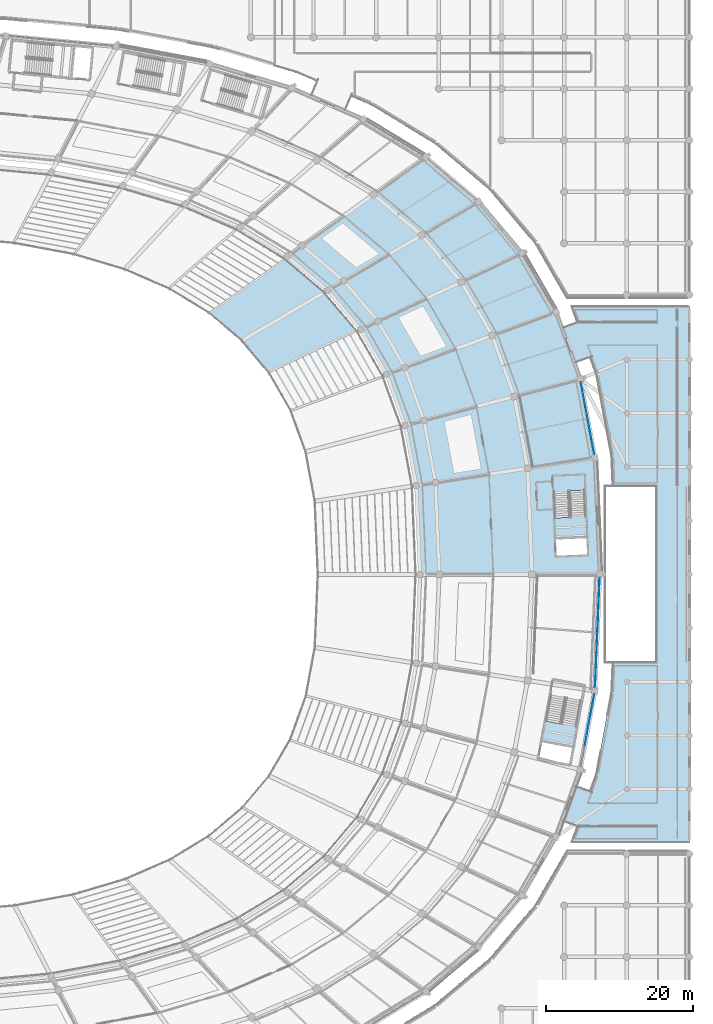
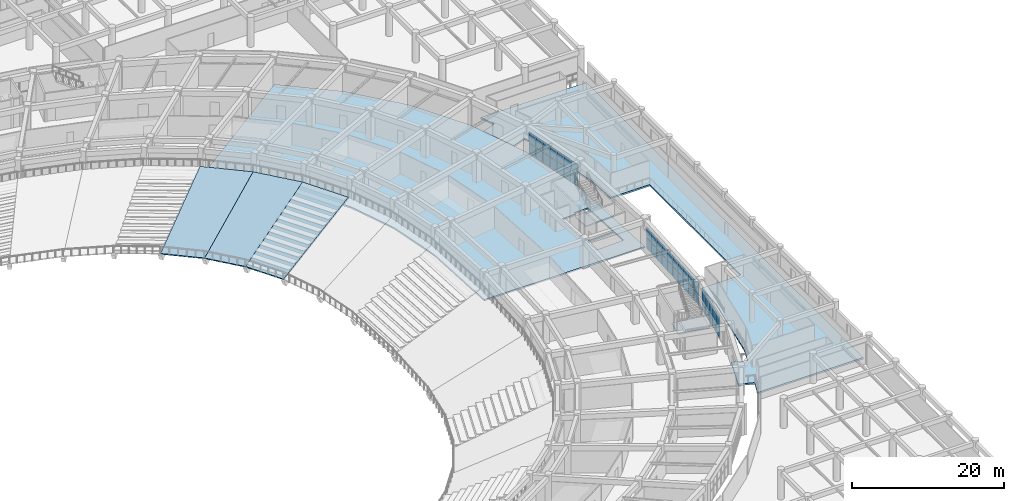
# One storey, part 86 of 152: 44 plates, 7 slabs, 5 elements without a shape of their own.
"""IFC4 building model written with IfcOpenShell, lengths in metres."""

from ifc_helpers import new_model, si_unit, direction, frame, origin, origin_2d, place, context, subcontext, project, spatial, polyline, rectangle, outline, extrude, material, layer, layer_set, type_object, element, aggregate, save


model = new_model("IFC4")

# Units and contexts
model_context = context("Model", 3, precision=1e-05, world=origin(), true_north=direction((0.0, 1.0)))
body_context = subcontext(model_context, "Body", "Model", "MODEL_VIEW")
ifc_project = project(units=[si_unit("LENGTHUNIT", "METRE"), si_unit("AREAUNIT", "SQUARE_METRE"), si_unit("VOLUMEUNIT", "CUBIC_METRE"), si_unit("PLANEANGLEUNIT", "RADIAN"), si_unit("MASSUNIT", "GRAM", prefix="KILO")], contexts=[model_context])

# Site, building, storey
site_placement = place(None, origin())
site = spatial("IfcSite", under=ifc_project, at=site_placement, CompositionType="ELEMENT")
building_placement = place(site_placement, origin())
building = spatial("IfcBuilding", under=site, at=building_placement, Name="Mphavela Belvedere Stadium", CompositionType="ELEMENT")
storey_placement = place(building_placement, frame((0.0, 0.0, 5.39990234375)))
storey = spatial("IfcBuildingStorey", under=building, at=storey_placement, Name="L01", CompositionType="ELEMENT", Elevation=5.39990234375)

# Curtain wall, plates
ifc_material_1 = material(Name="Anodised bronze unitised curtain wall framing")
ifc_layer_1 = layer(ifc_material_1, 0.179931640625)
ifc_layer_set_1 = layer_set([ifc_layer_1], Name="Anodised bronze unitised curtain wall framing")
curtain_wall_type_1 = type_object("IfcCurtainWallType", Name="CW-UNIT-01", PredefinedType="USERDEFINED", material=ifc_layer_set_1)
curtain_wall_1_placement = place(storey_placement, origin())
curtain_wall_1 = element("IfcCurtainWall", 1, at=curtain_wall_1_placement, inside=storey, type_object=curtain_wall_type_1, Name="Belvedere colonnade curtain wall L01-02", ObjectType="UNITISED CURTAIN WALL", PredefinedType="USERDEFINED")
ifc_material_2 = material(Name="Solar-control double glazing", Category="glass")
ifc_layer_2 = layer(ifc_material_2, 0.031982421875)
ifc_layer_set_2 = layer_set([ifc_layer_2], Name="Solar-control double glazing")
plate_type = type_object("IfcPlateType", Name="CWP-SOLAR-GLASS", PredefinedType="CURTAIN_PANEL", material=ifc_layer_set_2)
plate_1_placement = place(storey_placement, frame((216.944091796875, 103.98291015625, 0.06005859375), z_axis=(0.0, 0.0, 1.0), x_axis=(-0.182619524814, 0.983183659932, 0.0)))
plate_1 = element("IfcPlate", 2, at=plate_1_placement, type_object=plate_type, Name="CW-01 panel 1.1", PredefinedType="CURTAIN_PANEL", context=body_context, shape_type="SweptSolid", body=[
    extrude(rectangle(XDim=1.3388671875, YDim=0.031982421875, at=origin_2d()), origin(), (0.0, 0.0, 1.0), 1.695068359375),
])
plate_2_placement = place(storey_placement, frame((216.944091796875, 103.98291015625, 1.81494140625), z_axis=(0.0, 0.0, 1.0), x_axis=(-0.182619524814, 0.983183659932, 0.0)))
plate_2 = element("IfcPlate", 3, at=plate_2_placement, type_object=plate_type, Name="CW-01 panel 1.2", PredefinedType="CURTAIN_PANEL", context=body_context, shape_type="SweptSolid", body=[
    extrude(rectangle(XDim=1.3388671875, YDim=0.031982421875, at=origin_2d()), origin(), (0.0, 0.0, 1.0), 1.695068359375),
])
plate_3_placement = place(storey_placement, frame((216.6845703125, 105.379150390625, 0.06005859375), z_axis=(0.0, 0.0, 1.0), x_axis=(-0.182619524814, 0.983183659932, 0.0)))
plate_3 = element("IfcPlate", 4, at=plate_3_placement, type_object=plate_type, Name="CW-01 panel 2.1", PredefinedType="CURTAIN_PANEL", context=body_context, shape_type="SweptSolid", body=[
    extrude(rectangle(XDim=1.371337890625, YDim=0.031982421875, at=origin_2d()), origin(), (0.0, 0.0, 1.0), 1.695068359375),
])
plate_4_placement = place(storey_placement, frame((216.6845703125, 105.379150390625, 1.81494140625), z_axis=(0.0, 0.0, 1.0), x_axis=(-0.182619524814, 0.983183659932, 0.0)))
plate_4 = element("IfcPlate", 5, at=plate_4_placement, type_object=plate_type, Name="CW-01 panel 2.2", PredefinedType="CURTAIN_PANEL", context=body_context, shape_type="SweptSolid", body=[
    extrude(rectangle(XDim=1.371337890625, YDim=0.031982421875, at=origin_2d()), origin(), (0.0, 0.0, 1.0), 1.695068359375),
])
plate_5_placement = place(storey_placement, frame((216.42236328125, 106.79150390625, 0.06005859375), z_axis=(0.0, 0.0, 1.0), x_axis=(-0.182619524814, 0.983183659932, 0.0)))
plate_5 = element("IfcPlate", 6, at=plate_5_placement, type_object=plate_type, Name="CW-01 panel 3.1", PredefinedType="CURTAIN_PANEL", context=body_context, shape_type="SweptSolid", body=[
    extrude(rectangle(XDim=1.371337890625, YDim=0.031982421875, at=origin_2d()), origin(), (0.0, 0.0, 1.0), 1.695068359375),
])
plate_6_placement = place(storey_placement, frame((216.42236328125, 106.79150390625, 1.81494140625), z_axis=(0.0, 0.0, 1.0), x_axis=(-0.182619524814, 0.983183659932, 0.0)))
plate_6 = element("IfcPlate", 7, at=plate_6_placement, type_object=plate_type, Name="CW-01 panel 3.2", PredefinedType="CURTAIN_PANEL", context=body_context, shape_type="SweptSolid", body=[
    extrude(rectangle(XDim=1.371337890625, YDim=0.031982421875, at=origin_2d()), origin(), (0.0, 0.0, 1.0), 1.695068359375),
])
plate_7_placement = place(storey_placement, frame((216.159912109375, 108.203857421875, 0.06005859375), z_axis=(0.0, 0.0, 1.0), x_axis=(-0.182619524814, 0.983183659932, 0.0)))
plate_7 = element("IfcPlate", 8, at=plate_7_placement, type_object=plate_type, Name="CW-01 panel 4.1", PredefinedType="CURTAIN_PANEL", context=body_context, shape_type="SweptSolid", body=[
    extrude(rectangle(XDim=1.371337890625, YDim=0.031982421875, at=origin_2d()), origin(), (0.0, 0.0, 1.0), 1.695068359375),
])
plate_8_placement = place(storey_placement, frame((216.159912109375, 108.203857421875, 1.81494140625), z_axis=(0.0, 0.0, 1.0), x_axis=(-0.182619524814, 0.983183659932, 0.0)))
plate_8 = element("IfcPlate", 9, at=plate_8_placement, type_object=plate_type, Name="CW-01 panel 4.2", PredefinedType="CURTAIN_PANEL", context=body_context, shape_type="SweptSolid", body=[
    extrude(rectangle(XDim=1.371337890625, YDim=0.031982421875, at=origin_2d()), origin(), (0.0, 0.0, 1.0), 1.695068359375),
])
plate_9_placement = place(storey_placement, frame((215.897705078125, 109.615966796875, 0.06005859375), z_axis=(0.0, 0.0, 1.0), x_axis=(-0.182619524814, 0.983183659932, 0.0)))
plate_9 = element("IfcPlate", 10, at=plate_9_placement, type_object=plate_type, Name="CW-01 panel 5.1", PredefinedType="CURTAIN_PANEL", context=body_context, shape_type="SweptSolid", body=[
    extrude(rectangle(XDim=1.371337890625, YDim=0.031982421875, at=origin_2d()), origin(), (0.0, 0.0, 1.0), 1.695068359375),
])
plate_10_placement = place(storey_placement, frame((215.897705078125, 109.615966796875, 1.81494140625), z_axis=(0.0, 0.0, 1.0), x_axis=(-0.182619524814, 0.983183659932, 0.0)))
plate_10 = element("IfcPlate", 11, at=plate_10_placement, type_object=plate_type, Name="CW-01 panel 5.2", PredefinedType="CURTAIN_PANEL", context=body_context, shape_type="SweptSolid", body=[
    extrude(rectangle(XDim=1.371337890625, YDim=0.031982421875, at=origin_2d()), origin(), (0.0, 0.0, 1.0), 1.695068359375),
])
plate_11_placement = place(storey_placement, frame((215.63525390625, 111.0283203125, 0.06005859375), z_axis=(0.0, 0.0, 1.0), x_axis=(-0.182619524814, 0.983183659932, 0.0)))
plate_11 = element("IfcPlate", 12, at=plate_11_placement, type_object=plate_type, Name="CW-01 panel 6.1", PredefinedType="CURTAIN_PANEL", context=body_context, shape_type="SweptSolid", body=[
    extrude(rectangle(XDim=1.371337890625, YDim=0.031982421875, at=origin_2d()), origin(), (0.0, 0.0, 1.0), 1.695068359375),
])
plate_12_placement = place(storey_placement, frame((215.63525390625, 111.0283203125, 1.81494140625), z_axis=(0.0, 0.0, 1.0), x_axis=(-0.182619524814, 0.983183659932, 0.0)))
plate_12 = element("IfcPlate", 13, at=plate_12_placement, type_object=plate_type, Name="CW-01 panel 6.2", PredefinedType="CURTAIN_PANEL", context=body_context, shape_type="SweptSolid", body=[
    extrude(rectangle(XDim=1.371337890625, YDim=0.031982421875, at=origin_2d()), origin(), (0.0, 0.0, 1.0), 1.695068359375),
])
plate_13_placement = place(storey_placement, frame((215.3759765625, 112.424560546875, 0.06005859375), z_axis=(0.0, 0.0, 1.0), x_axis=(-0.182619524814, 0.983183659932, 0.0)))
plate_13 = element("IfcPlate", 14, at=plate_13_placement, type_object=plate_type, Name="CW-01 panel 7.1", PredefinedType="CURTAIN_PANEL", context=body_context, shape_type="SweptSolid", body=[
    extrude(rectangle(XDim=1.3388671875, YDim=0.031982421875, at=origin_2d()), origin(), (0.0, 0.0, 1.0), 1.695068359375),
])
plate_14_placement = place(storey_placement, frame((215.3759765625, 112.424560546875, 1.81494140625), z_axis=(0.0, 0.0, 1.0), x_axis=(-0.182619524814, 0.983183659932, 0.0)))
plate_14 = element("IfcPlate", 15, at=plate_14_placement, type_object=plate_type, Name="CW-01 panel 7.2", PredefinedType="CURTAIN_PANEL", context=body_context, shape_type="SweptSolid", body=[
    extrude(rectangle(XDim=1.3388671875, YDim=0.031982421875, at=origin_2d()), origin(), (0.0, 0.0, 1.0), 1.695068359375),
])
aggregate(curtain_wall_1, [plate_1, plate_2, plate_3, plate_4, plate_5, plate_6, plate_7, plate_8, plate_9, plate_10, plate_11, plate_12, plate_13, plate_14])

ifc_material_3 = material(Name="Anodised bronze unitised curtain wall framing")
ifc_layer_3 = layer(ifc_material_3, 0.199951171875)
ifc_layer_set_3 = layer_set([ifc_layer_3], Name="Anodised bronze unitised curtain wall framing")
curtain_wall_type_2 = type_object("IfcCurtainWallType", Name="CW-UNIT-05", PredefinedType="USERDEFINED", material=ifc_layer_set_3)
curtain_wall_2_placement = place(storey_placement, origin())
curtain_wall_2 = element("IfcCurtainWall", 16, at=curtain_wall_2_placement, inside=storey, type_object=curtain_wall_type_2, Name="Belvedere colonnade curtain wall L01-47", ObjectType="UNITISED CURTAIN WALL", PredefinedType="USERDEFINED")
plate_15_placement = place(storey_placement, frame((215.897705078125, 64.384033203125, 0.06005859375), z_axis=(0.0, 0.0, 1.0), x_axis=(0.182619524814, 0.983183659932, 0.0)))
plate_15 = element("IfcPlate", 17, at=plate_15_placement, type_object=plate_type, Name="CW-05 panel 3.1", PredefinedType="CURTAIN_PANEL", context=body_context, shape_type="SweptSolid", body=[
    extrude(rectangle(XDim=1.371337890625, YDim=0.031982421875, at=origin_2d()), origin(), (0.0, 0.0, 1.0), 1.695068359375),
])
plate_16_placement = place(storey_placement, frame((215.897705078125, 64.384033203125, 1.81494140625), z_axis=(0.0, 0.0, 1.0), x_axis=(0.182619524814, 0.983183659932, 0.0)))
plate_16 = element("IfcPlate", 18, at=plate_16_placement, type_object=plate_type, Name="CW-05 panel 3.2", PredefinedType="CURTAIN_PANEL", context=body_context, shape_type="SweptSolid", body=[
    extrude(rectangle(XDim=1.371337890625, YDim=0.031982421875, at=origin_2d()), origin(), (0.0, 0.0, 1.0), 1.695068359375),
])
plate_17_placement = place(storey_placement, frame((216.159912109375, 65.796142578125, 0.06005859375), z_axis=(0.0, 0.0, 1.0), x_axis=(0.182619524814, 0.983183659932, 0.0)))
plate_17 = element("IfcPlate", 19, at=plate_17_placement, type_object=plate_type, Name="CW-05 panel 4.1", PredefinedType="CURTAIN_PANEL", context=body_context, shape_type="SweptSolid", body=[
    extrude(rectangle(XDim=1.371337890625, YDim=0.031982421875, at=origin_2d()), origin(), (0.0, 0.0, 1.0), 1.695068359375),
])
plate_18_placement = place(storey_placement, frame((216.159912109375, 65.796142578125, 1.81494140625), z_axis=(0.0, 0.0, 1.0), x_axis=(0.182619524814, 0.983183659932, 0.0)))
plate_18 = element("IfcPlate", 20, at=plate_18_placement, type_object=plate_type, Name="CW-05 panel 4.2", PredefinedType="CURTAIN_PANEL", context=body_context, shape_type="SweptSolid", body=[
    extrude(rectangle(XDim=1.371337890625, YDim=0.031982421875, at=origin_2d()), origin(), (0.0, 0.0, 1.0), 1.695068359375),
])
plate_19_placement = place(storey_placement, frame((216.42236328125, 67.20849609375, 0.06005859375), z_axis=(0.0, 0.0, 1.0), x_axis=(0.182619524814, 0.983183659932, 0.0)))
plate_19 = element("IfcPlate", 21, at=plate_19_placement, type_object=plate_type, Name="CW-05 panel 5.1", PredefinedType="CURTAIN_PANEL", context=body_context, shape_type="SweptSolid", body=[
    extrude(rectangle(XDim=1.371337890625, YDim=0.031982421875, at=origin_2d()), origin(), (0.0, 0.0, 1.0), 1.695068359375),
])
plate_20_placement = place(storey_placement, frame((216.42236328125, 67.20849609375, 1.81494140625), z_axis=(0.0, 0.0, 1.0), x_axis=(0.182619524814, 0.983183659932, 0.0)))
plate_20 = element("IfcPlate", 22, at=plate_20_placement, type_object=plate_type, Name="CW-05 panel 5.2", PredefinedType="CURTAIN_PANEL", context=body_context, shape_type="SweptSolid", body=[
    extrude(rectangle(XDim=1.371337890625, YDim=0.031982421875, at=origin_2d()), origin(), (0.0, 0.0, 1.0), 1.695068359375),
])
plate_21_placement = place(storey_placement, frame((216.6845703125, 68.620849609375, 0.06005859375), z_axis=(0.0, 0.0, 1.0), x_axis=(0.182619524814, 0.983183659932, 0.0)))
plate_21 = element("IfcPlate", 23, at=plate_21_placement, type_object=plate_type, Name="CW-05 panel 6.1", PredefinedType="CURTAIN_PANEL", context=body_context, shape_type="SweptSolid", body=[
    extrude(rectangle(XDim=1.371337890625, YDim=0.031982421875, at=origin_2d()), origin(), (0.0, 0.0, 1.0), 1.695068359375),
])
plate_22_placement = place(storey_placement, frame((216.6845703125, 68.620849609375, 1.81494140625), z_axis=(0.0, 0.0, 1.0), x_axis=(0.182619524814, 0.983183659932, 0.0)))
plate_22 = element("IfcPlate", 24, at=plate_22_placement, type_object=plate_type, Name="CW-05 panel 6.2", PredefinedType="CURTAIN_PANEL", context=body_context, shape_type="SweptSolid", body=[
    extrude(rectangle(XDim=1.371337890625, YDim=0.031982421875, at=origin_2d()), origin(), (0.0, 0.0, 1.0), 1.695068359375),
])
plate_23_placement = place(storey_placement, frame((216.944091796875, 70.01708984375, 0.06005859375), z_axis=(0.0, 0.0, 1.0), x_axis=(0.182619524814, 0.983183659932, 0.0)))
plate_23 = element("IfcPlate", 25, at=plate_23_placement, type_object=plate_type, Name="CW-05 panel 7.1", PredefinedType="CURTAIN_PANEL", context=body_context, shape_type="SweptSolid", body=[
    extrude(rectangle(XDim=1.3388671875, YDim=0.031982421875, at=origin_2d()), origin(), (0.0, 0.0, 1.0), 1.695068359375),
])
plate_24_placement = place(storey_placement, frame((216.944091796875, 70.01708984375, 1.81494140625), z_axis=(0.0, 0.0, 1.0), x_axis=(0.182619524814, 0.983183659932, 0.0)))
plate_24 = element("IfcPlate", 26, at=plate_24_placement, type_object=plate_type, Name="CW-05 panel 7.2", PredefinedType="CURTAIN_PANEL", context=body_context, shape_type="SweptSolid", body=[
    extrude(rectangle(XDim=1.3388671875, YDim=0.031982421875, at=origin_2d()), origin(), (0.0, 0.0, 1.0), 1.695068359375),
])
aggregate(curtain_wall_2, [plate_15, plate_16, plate_17, plate_18, plate_19, plate_20, plate_21, plate_22, plate_23, plate_24])

ifc_material_4 = material(Name="Anodised bronze unitised curtain wall framing")
ifc_layer_4 = layer(ifc_material_4, 0.205078125)
ifc_layer_set_4 = layer_set([ifc_layer_4], Name="Anodised bronze unitised curtain wall framing")
curtain_wall_type_3 = type_object("IfcCurtainWallType", Name="CW-UNIT-06", PredefinedType="USERDEFINED", material=ifc_layer_set_4)
curtain_wall_3_placement = place(storey_placement, origin())
curtain_wall_3 = element("IfcCurtainWall", 27, at=curtain_wall_3_placement, inside=storey, type_object=curtain_wall_type_3, Name="Belvedere colonnade curtain wall L01-48", ObjectType="UNITISED CURTAIN WALL", PredefinedType="USERDEFINED")
plate_25_placement = place(storey_placement, frame((217.205322265625, 72.34375, 0.06005859375), z_axis=(0.0, 0.0, 1.0), x_axis=(0.04191037006, 0.999121374449, 0.0)))
plate_25 = element("IfcPlate", 28, at=plate_25_placement, type_object=plate_type, Name="CW-06 panel 1.1", PredefinedType="CURTAIN_PANEL", context=body_context, shape_type="SweptSolid", body=[
    extrude(rectangle(XDim=1.40380859375, YDim=0.031982421875, at=origin_2d()), origin(), (0.0, 0.0, 1.0), 1.695068359375),
])
plate_26_placement = place(storey_placement, frame((217.205322265625, 72.34375, 1.81494140625), z_axis=(0.0, 0.0, 1.0), x_axis=(0.04191037006, 0.999121374449, 0.0)))
plate_26 = element("IfcPlate", 29, at=plate_26_placement, type_object=plate_type, Name="CW-06 panel 1.2", PredefinedType="CURTAIN_PANEL", context=body_context, shape_type="SweptSolid", body=[
    extrude(rectangle(XDim=1.40380859375, YDim=0.031982421875, at=origin_2d()), origin(), (0.0, 0.0, 1.0), 1.695068359375),
])
plate_27_placement = place(storey_placement, frame((217.267578125, 73.82763671875, 0.06005859375), z_axis=(0.0, 0.0, 1.0), x_axis=(0.04191037006, 0.999121374449, 0.0)))
plate_27 = element("IfcPlate", 30, at=plate_27_placement, type_object=plate_type, Name="CW-06 panel 2.1", PredefinedType="CURTAIN_PANEL", context=body_context, shape_type="SweptSolid", body=[
    extrude(rectangle(XDim=1.436279296875, YDim=0.031982421875, at=origin_2d()), origin(), (0.0, 0.0, 1.0), 1.695068359375),
])
plate_28_placement = place(storey_placement, frame((217.267578125, 73.82763671875, 1.81494140625), z_axis=(0.0, 0.0, 1.0), x_axis=(0.04191037006, 0.999121374449, 0.0)))
plate_28 = element("IfcPlate", 31, at=plate_28_placement, type_object=plate_type, Name="CW-06 panel 2.2", PredefinedType="CURTAIN_PANEL", context=body_context, shape_type="SweptSolid", body=[
    extrude(rectangle(XDim=1.436279296875, YDim=0.031982421875, at=origin_2d()), origin(), (0.0, 0.0, 1.0), 1.695068359375),
])
plate_29_placement = place(storey_placement, frame((217.330322265625, 75.32763671875, 0.06005859375), z_axis=(0.0, 0.0, 1.0), x_axis=(0.04191037006, 0.999121374449, 0.0)))
plate_29 = element("IfcPlate", 32, at=plate_29_placement, type_object=plate_type, Name="CW-06 panel 3.1", PredefinedType="CURTAIN_PANEL", context=body_context, shape_type="SweptSolid", body=[
    extrude(rectangle(XDim=1.436279296875, YDim=0.031982421875, at=origin_2d()), origin(), (0.0, 0.0, 1.0), 1.695068359375),
])
plate_30_placement = place(storey_placement, frame((217.330322265625, 75.32763671875, 1.81494140625), z_axis=(0.0, 0.0, 1.0), x_axis=(0.04191037006, 0.999121374449, 0.0)))
plate_30 = element("IfcPlate", 33, at=plate_30_placement, type_object=plate_type, Name="CW-06 panel 3.2", PredefinedType="CURTAIN_PANEL", context=body_context, shape_type="SweptSolid", body=[
    extrude(rectangle(XDim=1.436279296875, YDim=0.031982421875, at=origin_2d()), origin(), (0.0, 0.0, 1.0), 1.695068359375),
])
plate_31_placement = place(storey_placement, frame((217.393310546875, 76.82763671875, 0.06005859375), z_axis=(0.0, 0.0, 1.0), x_axis=(0.04191037006, 0.999121374449, 0.0)))
plate_31 = element("IfcPlate", 34, at=plate_31_placement, type_object=plate_type, Name="CW-06 panel 4.1", PredefinedType="CURTAIN_PANEL", context=body_context, shape_type="SweptSolid", body=[
    extrude(rectangle(XDim=1.436279296875, YDim=0.031982421875, at=origin_2d()), origin(), (0.0, 0.0, 1.0), 1.695068359375),
])
plate_32_placement = place(storey_placement, frame((217.393310546875, 76.82763671875, 1.81494140625), z_axis=(0.0, 0.0, 1.0), x_axis=(0.04191037006, 0.999121374449, 0.0)))
plate_32 = element("IfcPlate", 35, at=plate_32_placement, type_object=plate_type, Name="CW-06 panel 4.2", PredefinedType="CURTAIN_PANEL", context=body_context, shape_type="SweptSolid", body=[
    extrude(rectangle(XDim=1.436279296875, YDim=0.031982421875, at=origin_2d()), origin(), (0.0, 0.0, 1.0), 1.695068359375),
])
plate_33_placement = place(storey_placement, frame((217.456298828125, 78.327392578125, 0.06005859375), z_axis=(0.0, 0.0, 1.0), x_axis=(0.04191037006, 0.999121374449, 0.0)))
plate_33 = element("IfcPlate", 36, at=plate_33_placement, type_object=plate_type, Name="CW-06 panel 5.1", PredefinedType="CURTAIN_PANEL", context=body_context, shape_type="SweptSolid", body=[
    extrude(rectangle(XDim=1.436279296875, YDim=0.031982421875, at=origin_2d()), origin(), (0.0, 0.0, 1.0), 1.695068359375),
])
plate_34_placement = place(storey_placement, frame((217.456298828125, 78.327392578125, 1.81494140625), z_axis=(0.0, 0.0, 1.0), x_axis=(0.04191037006, 0.999121374449, 0.0)))
plate_34 = element("IfcPlate", 37, at=plate_34_placement, type_object=plate_type, Name="CW-06 panel 5.2", PredefinedType="CURTAIN_PANEL", context=body_context, shape_type="SweptSolid", body=[
    extrude(rectangle(XDim=1.436279296875, YDim=0.031982421875, at=origin_2d()), origin(), (0.0, 0.0, 1.0), 1.695068359375),
])
plate_35_placement = place(storey_placement, frame((217.51904296875, 79.827392578125, 0.06005859375), z_axis=(0.0, 0.0, 1.0), x_axis=(0.04191037006, 0.999121374449, 0.0)))
plate_35 = element("IfcPlate", 38, at=plate_35_placement, type_object=plate_type, Name="CW-06 panel 6.1", PredefinedType="CURTAIN_PANEL", context=body_context, shape_type="SweptSolid", body=[
    extrude(rectangle(XDim=1.436279296875, YDim=0.031982421875, at=origin_2d()), origin(), (0.0, 0.0, 1.0), 1.695068359375),
])
plate_36_placement = place(storey_placement, frame((217.51904296875, 79.827392578125, 1.81494140625), z_axis=(0.0, 0.0, 1.0), x_axis=(0.04191037006, 0.999121374449, 0.0)))
plate_36 = element("IfcPlate", 39, at=plate_36_placement, type_object=plate_type, Name="CW-06 panel 6.2", PredefinedType="CURTAIN_PANEL", context=body_context, shape_type="SweptSolid", body=[
    extrude(rectangle(XDim=1.436279296875, YDim=0.031982421875, at=origin_2d()), origin(), (0.0, 0.0, 1.0), 1.695068359375),
])
plate_37_placement = place(storey_placement, frame((217.58203125, 81.327392578125, 0.06005859375), z_axis=(0.0, 0.0, 1.0), x_axis=(0.04191037006, 0.999121374449, 0.0)))
plate_37 = element("IfcPlate", 40, at=plate_37_placement, type_object=plate_type, Name="CW-06 panel 7.1", PredefinedType="CURTAIN_PANEL", context=body_context, shape_type="SweptSolid", body=[
    extrude(rectangle(XDim=1.436279296875, YDim=0.031982421875, at=origin_2d()), origin(), (0.0, 0.0, 1.0), 1.695068359375),
])
plate_38_placement = place(storey_placement, frame((217.58203125, 81.327392578125, 1.81494140625), z_axis=(0.0, 0.0, 1.0), x_axis=(0.04191037006, 0.999121374449, 0.0)))
plate_38 = element("IfcPlate", 41, at=plate_38_placement, type_object=plate_type, Name="CW-06 panel 7.2", PredefinedType="CURTAIN_PANEL", context=body_context, shape_type="SweptSolid", body=[
    extrude(rectangle(XDim=1.436279296875, YDim=0.031982421875, at=origin_2d()), origin(), (0.0, 0.0, 1.0), 1.695068359375),
])
plate_39_placement = place(storey_placement, frame((217.64501953125, 82.827392578125, 0.06005859375), z_axis=(0.0, 0.0, 1.0), x_axis=(0.04191037006, 0.999121374449, 0.0)))
plate_39 = element("IfcPlate", 42, at=plate_39_placement, type_object=plate_type, Name="CW-06 panel 8.1", PredefinedType="CURTAIN_PANEL", context=body_context, shape_type="SweptSolid", body=[
    extrude(rectangle(XDim=1.436279296875, YDim=0.031982421875, at=origin_2d()), origin(), (0.0, 0.0, 1.0), 1.695068359375),
])
plate_40_placement = place(storey_placement, frame((217.64501953125, 82.827392578125, 1.81494140625), z_axis=(0.0, 0.0, 1.0), x_axis=(0.04191037006, 0.999121374449, 0.0)))
plate_40 = element("IfcPlate", 43, at=plate_40_placement, type_object=plate_type, Name="CW-06 panel 8.2", PredefinedType="CURTAIN_PANEL", context=body_context, shape_type="SweptSolid", body=[
    extrude(rectangle(XDim=1.436279296875, YDim=0.031982421875, at=origin_2d()), origin(), (0.0, 0.0, 1.0), 1.695068359375),
])
plate_41_placement = place(storey_placement, frame((217.7080078125, 84.327392578125, 0.06005859375), z_axis=(0.0, 0.0, 1.0), x_axis=(0.04191037006, 0.999121374449, 0.0)))
plate_41 = element("IfcPlate", 44, at=plate_41_placement, type_object=plate_type, Name="CW-06 panel 9.1", PredefinedType="CURTAIN_PANEL", context=body_context, shape_type="SweptSolid", body=[
    extrude(rectangle(XDim=1.436279296875, YDim=0.031982421875, at=origin_2d()), origin(), (0.0, 0.0, 1.0), 1.695068359375),
])
plate_42_placement = place(storey_placement, frame((217.7080078125, 84.327392578125, 1.81494140625), z_axis=(0.0, 0.0, 1.0), x_axis=(0.04191037006, 0.999121374449, 0.0)))
plate_42 = element("IfcPlate", 45, at=plate_42_placement, type_object=plate_type, Name="CW-06 panel 9.2", PredefinedType="CURTAIN_PANEL", context=body_context, shape_type="SweptSolid", body=[
    extrude(rectangle(XDim=1.436279296875, YDim=0.031982421875, at=origin_2d()), origin(), (0.0, 0.0, 1.0), 1.695068359375),
])
plate_43_placement = place(storey_placement, frame((217.770263671875, 85.811279296875, 0.06005859375), z_axis=(0.0, 0.0, 1.0), x_axis=(0.04191037006, 0.999121374449, 0.0)))
plate_43 = element("IfcPlate", 46, at=plate_43_placement, type_object=plate_type, Name="CW-06 panel 10.1", PredefinedType="CURTAIN_PANEL", context=body_context, shape_type="SweptSolid", body=[
    extrude(rectangle(XDim=1.40380859375, YDim=0.031982421875, at=origin_2d()), origin(), (0.0, 0.0, 1.0), 1.695068359375),
])
plate_44_placement = place(storey_placement, frame((217.770263671875, 85.811279296875, 1.81494140625), z_axis=(0.0, 0.0, 1.0), x_axis=(0.04191037006, 0.999121374449, 0.0)))
plate_44 = element("IfcPlate", 47, at=plate_44_placement, type_object=plate_type, Name="CW-06 panel 10.2", PredefinedType="CURTAIN_PANEL", context=body_context, shape_type="SweptSolid", body=[
    extrude(rectangle(XDim=1.40380859375, YDim=0.031982421875, at=origin_2d()), origin(), (0.0, 0.0, 1.0), 1.695068359375),
])
aggregate(curtain_wall_3, [plate_25, plate_26, plate_27, plate_28, plate_29, plate_30, plate_31, plate_32, plate_33, plate_34, plate_35, plate_36, plate_37, plate_38, plate_39, plate_40, plate_41, plate_42, plate_43, plate_44])

# Slab
ifc_material_5 = material(Name="Concrete C40/50", Category="concrete")
ifc_layer_5 = layer(ifc_material_5, 0.25)
ifc_layer_set_5 = layer_set([ifc_layer_5], Name="Concrete C40/50")
slab_type_1 = type_object("IfcSlabType", Name="SLB-CONCOURSE-250", PredefinedType="FLOOR", material=ifc_layer_set_5)
slab_1_placement = place(storey_placement, frame((0.0, 0.0, -0.25)))
element("IfcSlab", 48, at=slab_1_placement, inside=storey, type_object=slab_type_1, Name="Concourse sector slab L01-S1", PredefinedType="FLOOR", context=body_context, shape_type="SweptSolid", body=[
    extrude(outline(polyline([(194.155517578125, 143.714599609375), (201.33837890625, 137.653564453125), (207.242431640625, 130.66162109375), (211.856201171875, 122.682373046875), (215.16455078125, 113.5625), (217.155517578125, 102.844970703125), (217.820068359375, 87.0), (193.3759765625, 87.0), (192.869384765625, 99.078125), (191.351806640625, 107.24755859375), (188.829833984375, 114.19921875), (185.31298828125, 120.281494140625), (180.8125, 125.611328125), (175.33740234375, 130.2314453125), (194.155517578125, 143.714599609375)]), holes=[polyline([(216.014892578125, 92.157958984375), (215.751220703125, 98.448486328125), (213.657958984375, 98.360595703125), (213.672119140625, 98.02490234375), (211.578857421875, 97.937255859375), (211.82861328125, 91.982421875), (216.014892578125, 92.157958984375)]), polyline([(216.11865234375, 89.68017578125), (216.02392578125, 91.938232421875), (211.837646484375, 91.7626953125), (211.932373046875, 89.504638671875), (216.11865234375, 89.68017578125)])]), origin(), (0.0, 0.0, 1.0), 0.25),
])

# Stair, slab
ifc_material_6 = material(Name="Concrete C40/50", Category="concrete")
stair_type_1 = type_object("IfcStairType", Name="STR-HALF-TURN-1", PredefinedType="HALF_TURN_STAIR", material=ifc_material_6)
stair_1_placement = place(storey_placement, origin())
stair_1 = element("IfcStair", 49, at=stair_1_placement, inside=storey, type_object=stair_type_1, Name="L01 Escape stair core C01", PredefinedType="HALF_TURN_STAIR")
ifc_material_7 = material(Name="Concrete C40/50", Category="concrete")
ifc_layer_6 = layer(ifc_material_7, 0.199951171875)
ifc_layer_set_6 = layer_set([ifc_layer_6], Name="Concrete C40/50")
slab_type_2 = type_object("IfcSlabType", Name="SLB-LANDING-200", PredefinedType="LANDING", material=ifc_layer_set_6)
slab_2_placement = place(storey_placement, frame((0.0, 0.0, 2.2001953125)))
slab_2 = element("IfcSlab", 50, at=slab_2_placement, type_object=slab_type_2, Name="ST-C01 landing 1", PredefinedType="LANDING", context=body_context, shape_type="SweptSolid", body=[
    extrude(outline(polyline([(211.59619140625, 94.656005859375), (211.70849609375, 91.9775390625), (216.134765625, 92.1630859375), (216.007568359375, 95.1962890625), (213.79443359375, 95.103515625), (213.809326171875, 94.748779296875), (211.59619140625, 94.656005859375)])), origin(), (0.0, 0.0, 1.0), 0.199951171875),
])
aggregate(stair_1, [slab_2])

ifc_material_8 = material(Name="Concrete C40/50", Category="concrete")
stair_type_2 = type_object("IfcStairType", Name="STR-HALF-TURN-3", PredefinedType="HALF_TURN_STAIR", material=ifc_material_8)
stair_2_placement = place(storey_placement, origin())
stair_2 = element("IfcStair", 51, at=stair_2_placement, inside=storey, type_object=stair_type_2, Name="L01 Escape stair core C12", PredefinedType="HALF_TURN_STAIR")
slab_3_placement = place(storey_placement, frame((0.0, 0.0, 2.2001953125)))
slab_3 = element("IfcSlab", 52, at=slab_3_placement, type_object=slab_type_2, Name="ST-C12 landing 1", PredefinedType="LANDING", context=body_context, shape_type="SweptSolid", body=[
    extrude(outline(polyline([(210.37646484375, 67.069580078125), (209.886962890625, 64.43359375), (214.242431640625, 63.624755859375), (214.796875, 66.60986328125), (212.618896484375, 67.01416015625), (212.55419921875, 66.665283203125), (210.37646484375, 67.069580078125)])), origin(), (0.0, 0.0, 1.0), 0.199951171875),
])
aggregate(stair_2, [slab_3])

# Slabs
ifc_material_9 = material(Name="Concrete C40/50", Category="concrete")
ifc_layer_7 = layer(ifc_material_9, 0.260009765625)
ifc_layer_set_7 = layer_set([ifc_layer_7], Name="Concrete C40/50")
slab_type_3 = type_object("IfcSlabType", Name="SLB-PAVILION-260", PredefinedType="FLOOR", material=ifc_layer_set_7)
slab_4_placement = place(storey_placement, frame((0.0, 0.0, -0.260009765625)))
element("IfcSlab", 53, at=slab_4_placement, inside=storey, type_object=slab_type_3, Name="East Planted Eaves Peristyle Colonnade floor slab L01-1", PredefinedType="FLOOR", context=body_context, shape_type="SweptSolid", body=[
    extrude(outline(polyline([(217.287353515625, 59.859619140625), (217.32763671875, 60.03564453125), (219.318359375, 70.753173828125), (219.353515625, 71.062744140625), (219.5185546875, 75.0), (225.5, 75.0), (225.5, 99.0), (219.5185546875, 99.0), (219.353515625, 102.937255859375), (219.318359375, 103.246826171875), (217.32763671875, 113.96435546875), (217.287353515625, 114.140380859375), (217.232666015625, 114.312744140625), (216.465087890625, 116.428466796875), (214.39697265625, 115.67822265625), (212.623779296875, 120.56640625), (214.69189453125, 121.31689453125), (213.896240234375, 123.5), (230.0, 123.5), (230.0, 50.5), (213.896240234375, 50.5), (214.69189453125, 52.68310546875), (212.623779296875, 53.43359375), (214.39697265625, 58.32177734375), (216.465087890625, 57.571533203125), (217.232666015625, 59.687255859375), (217.287353515625, 59.859619140625)])), origin(), (0.0, 0.0, 1.0), 0.260009765625),
])
ifc_material_10 = material(Name="Precast concrete C45/55", Category="concrete")
ifc_layer_8 = layer(ifc_material_10, 0.25)
ifc_layer_set_8 = layer_set([ifc_layer_8], Name="Precast concrete C45/55")
slab_type_4 = type_object("IfcSlabType", Name="SLB-TIER-LOWER", PredefinedType="USERDEFINED", material=ifc_layer_set_8)
slab_5_placement = place(storey_placement, frame((175.763427734375, 109.385498046875, -4.099853515625), z_axis=(-0.3594604756, -0.207838915334, 0.909720370089), x_axis=(-0.500540449389, 0.865713150242, 4.808227e-06)))
element("IfcSlab", 54, at=slab_5_placement, inside=storey, type_object=slab_type_4, Name="Lower seating tier slab L01-04", ObjectType="SEATING TIER", PredefinedType="USERDEFINED", context=body_context, shape_type="SweptSolid", body=[
    extrude(outline(polyline([(0.0, 0.0), (5.7823460595882405, 8.881784197001252e-16), (4.700271034469894, -14.450066284278886), (-2.27338182797004, -14.450213997594641), (0.0, 0.0)])), origin(), (0.0, 0.0, -1.0), 0.25),
])
slab_6_placement = place(storey_placement, frame((172.869140625, 114.391357421875, -4.099853515625), z_axis=(-0.325335055916, -0.274715889253, 0.904813948602), x_axis=(-0.645175251846, 0.764034615948, -6.274985e-06)))
element("IfcSlab", 55, at=slab_6_placement, inside=storey, type_object=slab_type_4, Name="Lower seating tier slab L01-05", ObjectType="SEATING TIER", PredefinedType="USERDEFINED", context=body_context, shape_type="SweptSolid", body=[
    extrude(outline(polyline([(0.0, 0.0), (5.741213101986478, 0.0), (3.543745526568664, -14.09093861523559), (-3.3802382810468354, -14.090751972223927), (0.0, 0.0)])), origin(), (0.0, 0.0, -1.0), 0.25),
])
slab_7_placement = place(storey_placement, frame((169.1650390625, 118.77783203125, -4.099853515625), z_axis=(-0.284611104244, -0.337287104358, 0.897348276075), x_axis=(-0.764254694135, 0.644914538872, 6.669598e-06)))
element("IfcSlab", 56, at=slab_7_placement, inside=storey, type_object=slab_type_4, Name="Lower seating tier slab L01-06", ObjectType="SEATING TIER", PredefinedType="USERDEFINED", context=body_context, shape_type="SweptSolid", body=[
    extrude(outline(polyline([(0.0, 0.0), (5.896092000140836, 4.440892098500626e-16), (2.804722206217582, -13.595439270528502), (-4.306053983985733, -13.595635839857422), (0.0, 0.0)])), origin(), (0.0, 0.0, -1.0), 0.25),
])

save(model, "model.ifc")
